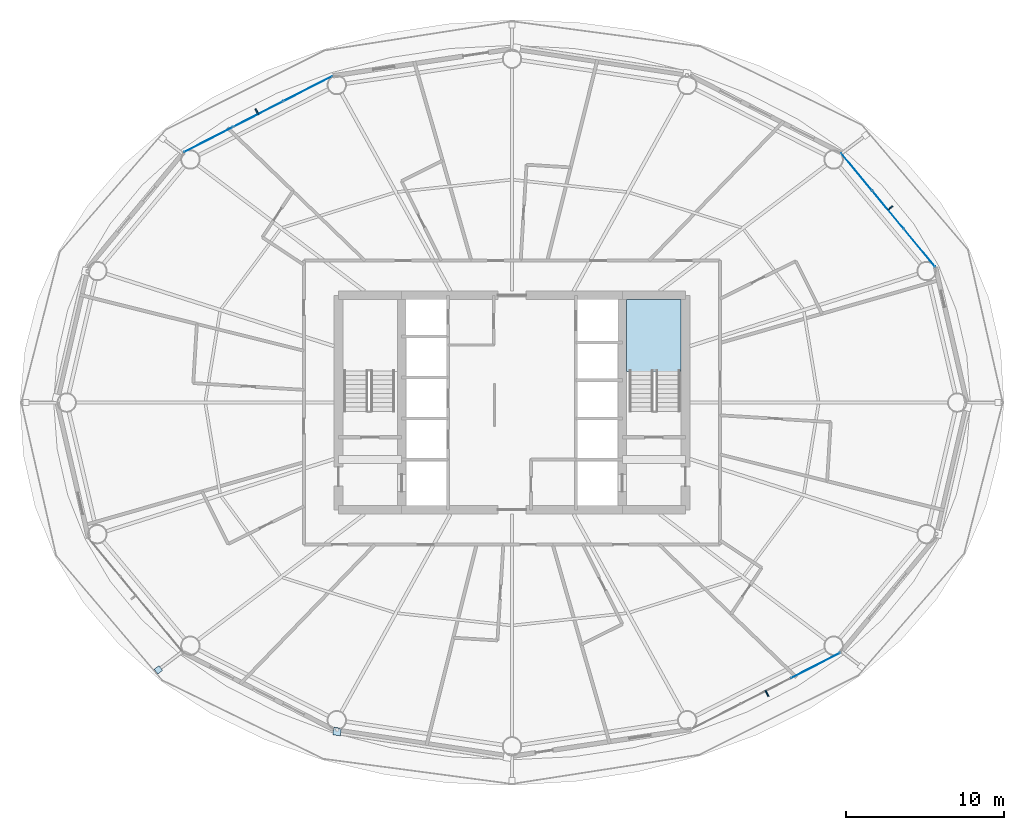
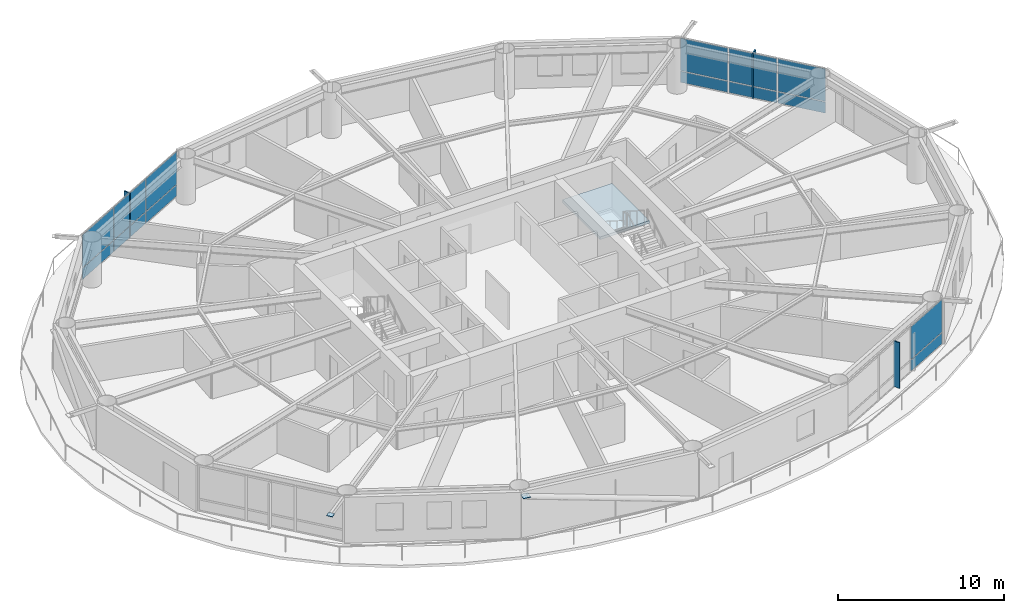
# One storey, part 16 of 24: 19 plates, 1 slab, 4 elements without a shape of their own.
"""IFC4 building model written with IfcOpenShell, lengths in metres."""

import ifcopenshell
import ifcopenshell.guid

model = None  # the IFC model being written
_history = None  # IfcOwnerHistory: only IFC2X3 demands one
_inside = {}  # id of a spatial element -> (the spatial element, [elements in it])
_under = {}  # id of a project, library or spatial element -> (it, [spatial elements below it])
_declared = {}  # id of a project -> (the project, [libraries it declares])
_typed = {}  # id of a type object -> (the type object, [elements of that type])
_made_of = {}  # id of a material, layer set ... -> (it, [elements and type objects made of it])


def new_model(schema):
    """Start an empty IFC model of exactly this schema.

    Asked for "IFC4X3", IfcOpenShell would pick the latest addendum, in which some entities
    have other attributes; the version numbers below select the first issue.
    IFC2X3 requires an IfcOwnerHistory on every rooted entity: one is made here for all.
    """
    global model, _history
    if schema == "IFC4X3":
        model = ifcopenshell.file(schema_version=(4, 3, 0, 0))
    else:
        model = ifcopenshell.file(schema=schema)
    _inside.clear()
    _under.clear()
    _declared.clear()
    _typed.clear()
    _made_of.clear()
    _history = None
    if model.schema == "IFC2X3":
        org = make("IfcOrganization", Name="unknown")
        user = make(
            "IfcPersonAndOrganization",
            ThePerson=make("IfcPerson", FamilyName="unknown"),
            TheOrganization=org,
        )
        app = make(
            "IfcApplication",
            ApplicationDeveloper=org,
            Version="unknown",
            ApplicationFullName="unknown",
            ApplicationIdentifier="unknown",
        )
        _history = make(
            "IfcOwnerHistory",
            OwningUser=user,
            OwningApplication=app,
            ChangeAction="ADDED",
            CreationDate=0,
        )
    return model


def make(cls, **values):
    """One entity of the class cls with the attributes given. An attribute that is None is left unset."""
    return model.create_entity(
        cls, **{name: value for name, value in values.items() if value is not None}
    )


def rooted(cls, **values):
    """An entity with a GlobalId (a new one), such as an element, a storey or a relation."""
    return make(cls, GlobalId=ifcopenshell.guid.new(), OwnerHistory=_history, **values)


def si_unit(unit_type, name, prefix=None):
    """IfcSIUnit, for example si_unit("LENGTHUNIT", "METRE", prefix="MILLI")."""
    return make("IfcSIUnit", UnitType=unit_type, Prefix=prefix, Name=name)


def assignment(units):
    """IfcUnitAssignment: the units of a project."""
    return None if units is None else make("IfcUnitAssignment", Units=units)


def point(xyz):
    """IfcCartesianPoint."""
    return None if xyz is None else make("IfcCartesianPoint", Coordinates=xyz)


def direction(xyz):
    """IfcDirection."""
    return None if xyz is None else make("IfcDirection", DirectionRatios=xyz)


def frame(location, z_axis=None, x_axis=None):
    """IfcAxis2Placement3D, a coordinate frame: its origin and axes. An axis left out is left unset."""
    return make(
        "IfcAxis2Placement3D",
        Location=point(location),
        Axis=direction(z_axis),
        RefDirection=direction(x_axis),
    )


def frame_2d(location, x_axis=None):
    """IfcAxis2Placement2D, a coordinate frame in the plane: its origin and x axis."""
    return make(
        "IfcAxis2Placement2D", Location=point(location), RefDirection=direction(x_axis)
    )


def origin():
    """The frame at (0, 0, 0) with its axes left unset."""
    return frame((0.0, 0.0, 0.0))


def origin_2d():
    """The frame at (0, 0) in the plane with its x axis left unset."""
    return frame_2d((0.0, 0.0))


def place(relative_to, where):
    """IfcLocalPlacement: puts the frame where relative to a parent placement (None: the world)."""
    return make(
        "IfcLocalPlacement", PlacementRelTo=relative_to, RelativePlacement=where
    )


def context(
    kind, dimensions, precision=None, world=None, true_north=None, identifier=None
):
    """IfcGeometricRepresentationContext, for example the 3D "Model" context."""
    return make(
        "IfcGeometricRepresentationContext",
        ContextIdentifier=identifier,
        ContextType=kind,
        CoordinateSpaceDimension=dimensions,
        Precision=precision,
        WorldCoordinateSystem=world,
        TrueNorth=true_north,
    )


def subcontext(parent, identifier, kind, view, scale=None):
    """IfcGeometricRepresentationSubContext, for example "Body" below "Model"."""
    return make(
        "IfcGeometricRepresentationSubContext",
        ContextIdentifier=identifier,
        ContextType=kind,
        ParentContext=parent,
        TargetScale=scale,
        TargetView=view,
    )


def project(units=None, contexts=None):
    """IfcProject with its units and contexts."""
    return rooted(
        "IfcProject",
        Name="project",
        RepresentationContexts=contexts,
        UnitsInContext=assignment(units),
    )


def spatial(cls, under=None, at=None, **own):
    """A site, building, storey or space (cls), placed at a placement, below another one or the project."""
    s = rooted(cls, ObjectPlacement=at, **own)
    if under is not None:
        _under.setdefault(under.id(), (under, []))[1].append(s)
    return s


def polyline(points):
    """IfcPolyline through the points."""
    return make("IfcPolyline", Points=[point(p) for p in points])


def profile(cls, at=None, kind="AREA", **sizes):
    """A parametric profile (cls). Its sizes go by their IFC names, for example OverallWidth=200.0."""
    return make(cls, ProfileType=kind, Position=at, **sizes)


def rectangle(**sizes):
    """IfcRectangleProfileDef."""
    return profile("IfcRectangleProfileDef", **sizes)


def outline(outer, holes=None, kind="AREA"):
    """IfcArbitraryClosedProfileDef: a profile drawn as a closed curve; with holes, ...WithVoids."""
    if holes is None:
        return make("IfcArbitraryClosedProfileDef", ProfileType=kind, OuterCurve=outer)
    return make(
        "IfcArbitraryProfileDefWithVoids",
        ProfileType=kind,
        OuterCurve=outer,
        InnerCurves=holes,
    )


def extrude(swept, where, along, depth):
    """IfcExtrudedAreaSolid: the profile swept, set in the frame where, extruded along a direction by depth."""
    return make(
        "IfcExtrudedAreaSolid",
        SweptArea=swept,
        Position=where,
        ExtrudedDirection=direction(along),
        Depth=depth,
    )


def shape(context_of_items, identifier, shape_type, items):
    """IfcShapeRepresentation: the items that make up one representation, for example the "Body"."""
    return make(
        "IfcShapeRepresentation",
        ContextOfItems=context_of_items,
        RepresentationIdentifier=identifier,
        RepresentationType=shape_type,
        Items=items,
    )


def material(Name=None, Category=None):
    """IfcMaterial."""
    return make("IfcMaterial", Name=Name, Category=Category)


def layer(
    of_material, thickness, ventilated=None, Name=None, Category=None, Priority=None
):
    """IfcMaterialLayer: one layer of a wall or slab, of a material (None: an air gap)."""
    return make(
        "IfcMaterialLayer",
        Material=of_material,
        LayerThickness=thickness,
        IsVentilated=ventilated,
        Name=Name,
        Category=Category,
        Priority=Priority,
    )


def layer_set(layers, Name=None):
    """IfcMaterialLayerSet."""
    return make("IfcMaterialLayerSet", MaterialLayers=layers, LayerSetName=Name)


def made_of(thing, what):
    """Note that an element or type object is made of a material, layer set ...; save() writes the relation."""
    if what is not None:
        _made_of.setdefault(what.id(), (what, []))[1].append(thing)
    return thing


def type_object(cls, material=None, **own):
    """A type object (cls), such as IfcWallType, which elements share."""
    return made_of(rooted(cls, **own), material)


def element(
    cls,
    number,
    at=None,
    inside=None,
    cuts=None,
    type_object=None,
    material=None,
    context=None,
    identifier="Body",
    shape_type=None,
    held_by="IfcProductDefinitionShape",
    body=None,
    shapes=None,
    **own,
):
    """One element of the class cls, such as IfcWall. Its Tag is "e" and its number.

    at: its placement. inside: the storey or other place that contains it. cuts: it is an
    opening in that element (IfcRelVoidsElement). A single representation is given by context,
    identifier, shape_type and body (its items); several are given by shapes. held_by: the class
    of the entity that holds the representations. save() writes the other relations.
    """
    e = rooted(cls, Tag="e%d" % number, ObjectPlacement=at, **own)
    if body is not None:
        shapes = [shape(context, identifier, shape_type, body)]
    if shapes is not None:
        e.Representation = make(held_by, Representations=shapes)
    if inside is not None:
        _inside.setdefault(inside.id(), (inside, []))[1].append(e)
    if cuts is not None:
        rooted(
            "IfcRelVoidsElement", RelatingBuildingElement=cuts, RelatedOpeningElement=e
        )
    if type_object is not None:
        _typed.setdefault(type_object.id(), (type_object, []))[1].append(e)
    return made_of(e, material)


def aggregate(whole, parts):
    """IfcRelAggregates: a whole, such as a stair, and the parts it consists of."""
    return rooted("IfcRelAggregates", RelatingObject=whole, RelatedObjects=parts)


def save(model, path):
    """Write the relations noted so far, then the file.

    IfcRelAggregates (storeys below a building ...), IfcRelContainedInSpatialStructure (elements
    in a storey), IfcRelDefinesByType, IfcRelAssociatesMaterial and IfcRelDeclares: one each for
    every whole, place, type object, material and project.
    """
    for whole, parts in _under.values():
        aggregate(whole, parts)
    for where, things in _inside.values():
        rooted(
            "IfcRelContainedInSpatialStructure",
            RelatedElements=things,
            RelatingStructure=where,
        )
    for kind, things in _typed.values():
        rooted("IfcRelDefinesByType", RelatedObjects=things, RelatingType=kind)
    for what, things in _made_of.values():
        rooted("IfcRelAssociatesMaterial", RelatedObjects=things, RelatingMaterial=what)
    for by, libraries in _declared.values():
        rooted("IfcRelDeclares", RelatingContext=by, RelatedDefinitions=libraries)
    model.write(path)


model = new_model("IFC4")

# Units and contexts
model_context = context("Model", 3, precision=1e-05, world=origin(), true_north=direction((0.0, 1.0)))
body_context = subcontext(model_context, "Body", "Model", "MODEL_VIEW")
ifc_project = project(units=[si_unit("LENGTHUNIT", "METRE"), si_unit("AREAUNIT", "SQUARE_METRE"), si_unit("VOLUMEUNIT", "CUBIC_METRE"), si_unit("PLANEANGLEUNIT", "RADIAN"), si_unit("MASSUNIT", "GRAM", prefix="KILO")], contexts=[model_context])

# Site, building, storey
site_placement = place(None, origin())
site = spatial("IfcSite", under=ifc_project, at=site_placement, CompositionType="ELEMENT")
building_placement = place(site_placement, origin())
building = spatial("IfcBuilding", under=site, at=building_placement, Name="Sarneth Arch Tower", CompositionType="ELEMENT")
storey_placement = place(building_placement, frame((0.0, 0.0, 94.800048828125)))
storey = spatial("IfcBuildingStorey", under=building, at=storey_placement, Name="L23", CompositionType="ELEMENT", Elevation=94.800048828125)

# Curtain wall, plates
ifc_material_1 = material(Name="Anodised aluminium Type AA25 and solar-control low-e laminated IGU", Category="aluminium")
ifc_layer_1 = layer(ifc_material_1, 0.159912109375)
ifc_layer_set_1 = layer_set([ifc_layer_1], Name="Anodised aluminium Type AA25 and solar-control low-e laminated IGU")
curtain_wall_type = type_object("IfcCurtainWallType", Name="CW-HOTEL-MID", PredefinedType="NOTDEFINED", material=ifc_layer_set_1)
curtain_wall_1_placement = place(storey_placement, origin())
curtain_wall_1 = element("IfcCurtainWall", 1, at=curtain_wall_1_placement, inside=storey, type_object=curtain_wall_type, Name="L23 Unitised curtain wall facet 02", PredefinedType="NOTDEFINED")
ifc_material_2 = material(Name="Solar-control low-e laminated IGU", Category="glass")
ifc_layer_2 = layer(ifc_material_2, 0.028076171875)
ifc_layer_set_2 = layer_set([ifc_layer_2], Name="Solar-control low-e laminated IGU")
plate_type_1 = type_object("IfcPlateType", Name="CW-PANEL", PredefinedType="CURTAIN_PANEL", material=ifc_layer_set_2)
plate_1_placement = place(storey_placement, frame((73.84814453125, 51.807861328125, 0.059814453125), z_axis=(0.0, 0.0, 1.0), x_axis=(-0.637515188684, 0.770437787363, 0.0)))
plate_1 = element("IfcPlate", 2, at=plate_1_placement, type_object=plate_type_1, Name="Curtain wall glazed vision pane CW-L23-F02/P00-00", PredefinedType="CURTAIN_PANEL", context=body_context, shape_type="SweptSolid", body=[
    extrude(rectangle(XDim=3.058349609375, YDim=0.028076171875, at=origin_2d()), origin(), (0.0, 0.0, 1.0), 0.81005859375),
])
plate_2_placement = place(storey_placement, frame((73.84814453125, 51.807861328125, 0.93017578125), z_axis=(0.0, 0.0, 1.0), x_axis=(-0.637515188684, 0.770437787363, 0.0)))
plate_2 = element("IfcPlate", 3, at=plate_2_placement, type_object=plate_type_1, Name="Curtain wall glazed vision pane CW-L23-F02/P00-01", PredefinedType="CURTAIN_PANEL", context=body_context, shape_type="SweptSolid", body=[
    extrude(rectangle(XDim=3.058349609375, YDim=0.028076171875, at=origin_2d()), origin(), (0.0, 0.0, 1.0), 2.389892578125),
])
plate_3_placement = place(storey_placement, frame((71.8505859375, 54.221923828125, 0.059814453125), z_axis=(0.0, 0.0, 1.0), x_axis=(-0.637515188684, 0.770437787363, 0.0)))
plate_3 = element("IfcPlate", 4, at=plate_3_placement, type_object=plate_type_1, Name="Curtain wall glazed vision pane CW-L23-F02/P01-00", PredefinedType="CURTAIN_PANEL", context=body_context, shape_type="SweptSolid", body=[
    extrude(rectangle(XDim=3.08837890625, YDim=0.028076171875, at=origin_2d()), origin(), (0.0, 0.0, 1.0), 0.81005859375),
])
plate_4_placement = place(storey_placement, frame((71.8505859375, 54.221923828125, 0.93017578125), z_axis=(0.0, 0.0, 1.0), x_axis=(-0.637515188684, 0.770437787363, 0.0)))
plate_4 = element("IfcPlate", 5, at=plate_4_placement, type_object=plate_type_1, Name="Curtain wall glazed vision pane CW-L23-F02/P01-01", PredefinedType="CURTAIN_PANEL", context=body_context, shape_type="SweptSolid", body=[
    extrude(rectangle(XDim=3.08837890625, YDim=0.028076171875, at=origin_2d()), origin(), (0.0, 0.0, 1.0), 2.389892578125),
])
plate_5_placement = place(storey_placement, frame((69.85302734375, 56.635986328125, 0.059814453125), z_axis=(0.0, 0.0, 1.0), x_axis=(-0.637515188684, 0.770437787363, 0.0)))
plate_5 = element("IfcPlate", 6, at=plate_5_placement, type_object=plate_type_1, Name="Curtain wall glazed vision pane CW-L23-F02/P02-00", PredefinedType="CURTAIN_PANEL", context=body_context, shape_type="SweptSolid", body=[
    extrude(rectangle(XDim=3.058349609375, YDim=0.028076171875, at=origin_2d()), origin(), (0.0, 0.0, 1.0), 0.81005859375),
])
plate_6_placement = place(storey_placement, frame((69.85302734375, 56.635986328125, 0.93017578125), z_axis=(0.0, 0.0, 1.0), x_axis=(-0.637515188684, 0.770437787363, 0.0)))
plate_6 = element("IfcPlate", 7, at=plate_6_placement, type_object=plate_type_1, Name="Curtain wall glazed vision pane CW-L23-F02/P02-01", PredefinedType="CURTAIN_PANEL", context=body_context, shape_type="SweptSolid", body=[
    extrude(rectangle(XDim=3.058349609375, YDim=0.028076171875, at=origin_2d()), origin(), (0.0, 0.0, 1.0), 2.389892578125),
])
aggregate(curtain_wall_1, [plate_1, plate_2, plate_3, plate_4, plate_5, plate_6])

curtain_wall_2_placement = place(storey_placement, origin())
curtain_wall_2 = element("IfcCurtainWall", 8, at=curtain_wall_2_placement, inside=storey, type_object=curtain_wall_type, Name="L23 Unitised curtain wall facet 06", PredefinedType="NOTDEFINED")
plate_7_placement = place(storey_placement, frame((35.053955078125, 61.905517578125, 0.059814453125), z_axis=(0.0, 0.0, 1.0), x_axis=(-0.889963703649, -0.456031365356, 0.0)))
plate_7 = element("IfcPlate", 9, at=plate_7_placement, type_object=plate_type_1, Name="Curtain wall glazed vision pane CW-L23-F06/P00-00", PredefinedType="CURTAIN_PANEL", context=body_context, shape_type="SweptSolid", body=[
    extrude(rectangle(XDim=3.464111328125, YDim=0.028076171875, at=origin_2d()), origin(), (0.0, 0.0, 1.0), 0.81005859375),
])
plate_8_placement = place(storey_placement, frame((35.053955078125, 61.905517578125, 0.93017578125), z_axis=(0.0, 0.0, 1.0), x_axis=(-0.889963703649, -0.456031365356, 0.0)))
plate_8 = element("IfcPlate", 10, at=plate_8_placement, type_object=plate_type_1, Name="Curtain wall glazed vision pane CW-L23-F06/P00-01", PredefinedType="CURTAIN_PANEL", context=body_context, shape_type="SweptSolid", body=[
    extrude(rectangle(XDim=3.464111328125, YDim=0.028076171875, at=origin_2d()), origin(), (0.0, 0.0, 1.0), 2.389892578125),
])
plate_9_placement = place(storey_placement, frame((31.904296875, 60.29150390625, 0.059814453125), z_axis=(0.0, 0.0, 1.0), x_axis=(-0.889963703649, -0.456031365356, 0.0)))
plate_9 = element("IfcPlate", 11, at=plate_9_placement, type_object=plate_type_1, Name="Curtain wall glazed vision pane CW-L23-F06/P01-00", PredefinedType="CURTAIN_PANEL", context=body_context, shape_type="SweptSolid", body=[
    extrude(rectangle(XDim=3.493896484375, YDim=0.028076171875, at=origin_2d()), origin(), (0.0, 0.0, 1.0), 0.81005859375),
])
plate_10_placement = place(storey_placement, frame((31.904296875, 60.29150390625, 0.93017578125), z_axis=(0.0, 0.0, 1.0), x_axis=(-0.889963703649, -0.456031365356, 0.0)))
plate_10 = element("IfcPlate", 12, at=plate_10_placement, type_object=plate_type_1, Name="Curtain wall glazed vision pane CW-L23-F06/P01-01", PredefinedType="CURTAIN_PANEL", context=body_context, shape_type="SweptSolid", body=[
    extrude(rectangle(XDim=3.493896484375, YDim=0.028076171875, at=origin_2d()), origin(), (0.0, 0.0, 1.0), 2.389892578125),
])
plate_11_placement = place(storey_placement, frame((28.7548828125, 58.677734375, 0.059814453125), z_axis=(0.0, 0.0, 1.0), x_axis=(-0.889963703649, -0.456031365356, 0.0)))
plate_11 = element("IfcPlate", 13, at=plate_11_placement, type_object=plate_type_1, Name="Curtain wall glazed vision pane CW-L23-F06/P02-00", PredefinedType="CURTAIN_PANEL", context=body_context, shape_type="SweptSolid", body=[
    extrude(rectangle(XDim=3.464111328125, YDim=0.028076171875, at=origin_2d()), origin(), (0.0, 0.0, 1.0), 0.81005859375),
])
plate_12_placement = place(storey_placement, frame((28.7548828125, 58.677734375, 0.93017578125), z_axis=(0.0, 0.0, 1.0), x_axis=(-0.889963703649, -0.456031365356, 0.0)))
plate_12 = element("IfcPlate", 14, at=plate_12_placement, type_object=plate_type_1, Name="Curtain wall glazed vision pane CW-L23-F06/P02-01", PredefinedType="CURTAIN_PANEL", context=body_context, shape_type="SweptSolid", body=[
    extrude(rectangle(XDim=3.464111328125, YDim=0.028076171875, at=origin_2d()), origin(), (0.0, 0.0, 1.0), 2.389892578125),
])
aggregate(curtain_wall_2, [plate_7, plate_8, plate_9, plate_10, plate_11, plate_12])

curtain_wall_3_placement = place(storey_placement, origin())
curtain_wall_3 = element("IfcCurtainWall", 15, at=curtain_wall_3_placement, inside=storey, type_object=curtain_wall_type, Name="L23 Unitised curtain wall facet 14", PredefinedType="NOTDEFINED")
plate_13_placement = place(storey_placement, frame((67.2451171875, 25.322265625, 0.059814453125), z_axis=(0.0, 0.0, 1.0), x_axis=(0.889963703649, 0.456031365356, 0.0)))
plate_13 = element("IfcPlate", 16, at=plate_13_placement, type_object=plate_type_1, Name="Curtain wall glazed vision pane CW-L23-F14/P02-00", PredefinedType="CURTAIN_PANEL", context=body_context, shape_type="SweptSolid", body=[
    extrude(rectangle(XDim=3.464111328125, YDim=0.028076171875, at=origin_2d()), origin(), (0.0, 0.0, 1.0), 0.81005859375),
])
plate_14_placement = place(storey_placement, frame((67.2451171875, 25.322265625, 0.93017578125), z_axis=(0.0, 0.0, 1.0), x_axis=(0.889963703649, 0.456031365356, 0.0)))
plate_14 = element("IfcPlate", 17, at=plate_14_placement, type_object=plate_type_1, Name="Curtain wall glazed vision pane CW-L23-F14/P02-01", PredefinedType="CURTAIN_PANEL", context=body_context, shape_type="SweptSolid", body=[
    extrude(rectangle(XDim=3.464111328125, YDim=0.028076171875, at=origin_2d()), origin(), (0.0, 0.0, 1.0), 2.389892578125),
])
aggregate(curtain_wall_3, [plate_13, plate_14])

# Plates
ifc_material_3 = material(Name="Steel S355", Category="steel")
ifc_layer_3 = layer(ifc_material_3, 0.035888671875)
ifc_layer_set_3 = layer_set([ifc_layer_3], Name="Steel S355")
plate_type_2 = type_object("IfcPlateType", Name="PLT-GUSSET-30", PredefinedType="SHEET", material=ifc_layer_set_3)
plate_15_placement = place(storey_placement, frame((25.572509765625, 25.051025390625, 3.2021484375), z_axis=(0.0, 0.0, 1.0), x_axis=(-0.797794439539, -0.602929541689, 0.0)))
element("IfcPlate", 18, at=plate_15_placement, inside=storey, type_object=plate_type_2, Name="Steel end cap plate GP-1", PredefinedType="SHEET", context=body_context, shape_type="SweptSolid", body=[
    extrude(rectangle(XDim=0.3798828125, YDim=0.3798828125, at=origin_2d()), origin(), (0.0, 0.0, 1.0), 0.035888671875),
])
plate_16_placement = place(storey_placement, frame((36.9072265625, 21.140380859375, 2.99462890625), z_axis=(0.0, 0.0, 1.0), x_axis=(0.988860535448, -0.148845024885, 0.0)))
element("IfcPlate", 19, at=plate_16_placement, inside=storey, type_object=plate_type_2, Name="Steel end cap plate GP-1", PredefinedType="SHEET", context=body_context, shape_type="SweptSolid", body=[
    extrude(rectangle(XDim=0.486083984375, YDim=0.486083984375, at=origin_2d()), origin(), (0.0, 0.0, 1.0), 0.035888671875),
])
ifc_material_4 = material(Name="Extruded glazed terracotta baguette fin on Aluminium 6063-T6 carrier", Category="masonry")
ifc_layer_4 = layer(ifc_material_4, 0.080078125)
ifc_layer_set_4 = layer_set([ifc_layer_4], Name="Extruded glazed terracotta baguette fin on Aluminium 6063-T6 carrier")
plate_type_3 = type_object("IfcPlateType", Name="SHADE-TERRA-FIN", PredefinedType="SHEET", material=ifc_layer_set_4)
for number, where, z_axis, x_axis, name in (
    (20, (71.981689453125, 54.330322265625, 0.009765625), (0.0, 0.0, 1.0), (0.770401979567, 0.63755845997, 0.0), "L23 Terracotta vertical shading fin 02"),
    (21, (31.826904296875, 60.44287109375, 0.009765625), (0.0, 0.0, 1.0), (-0.456010959102, 0.889974159838, 0.0), "L23 Terracotta vertical shading fin 06"),
    (22, (64.173095703125, 23.55712890625, 0.009765625), (0.0, 0.0, 1.0), (0.456010959102, -0.889974159838, 0.0), "L23 Terracotta vertical shading fin 14"),
):
    element("IfcPlate", number, at=place(storey_placement, frame(where, z_axis=z_axis, x_axis=x_axis)), inside=storey, type_object=plate_type_3, Name=name, PredefinedType="SHEET", context=body_context, shape_type="SweptSolid", body=[
        extrude(rectangle(XDim=0.419921875, YDim=0.080078125, at=origin_2d()), origin(), (0.0, 0.0, 1.0), 3.360107421875),
    ])

# Stair, slab
ifc_material_5 = material(Name="Concrete C50/60", Category="concrete")
stair_type = type_object("IfcStairType", Name="STAIR-CORE-RC", PredefinedType="HALF_TURN_STAIR", material=ifc_material_5)
stair_placement = place(storey_placement, origin())
stair = element("IfcStair", 23, at=stair_placement, inside=storey, type_object=stair_type, Name="L23 Core Exit Stair 2", PredefinedType="HALF_TURN_STAIR")
ifc_material_6 = material(Name="Concrete C50/60", Category="concrete")
ifc_layer_5 = layer(ifc_material_6, 0.199951171875)
ifc_layer_set_5 = layer_set([ifc_layer_5], Name="Concrete C50/60")
slab_type = type_object("IfcSlabType", Name="SLAB-LANDING-200", PredefinedType="LANDING", material=ifc_layer_set_5)
slab_placement = place(storey_placement, frame((0.0, 0.0, 1.599853515625)))
slab = element("IfcSlab", 24, at=slab_placement, type_object=slab_type, Name="ST-2 landing 1", PredefinedType="LANDING", context=body_context, shape_type="SweptSolid", body=[
    extrude(outline(polyline([(55.27490234375, 43.985107421875), (58.72509765625, 43.985107421875), (58.72509765625, 48.52490234375), (55.27490234375, 48.52490234375), (55.27490234375, 43.985107421875)])), origin(), (0.0, 0.0, 1.0), 0.2001953125),
])
aggregate(stair, [slab])

save(model, "model.ifc")
